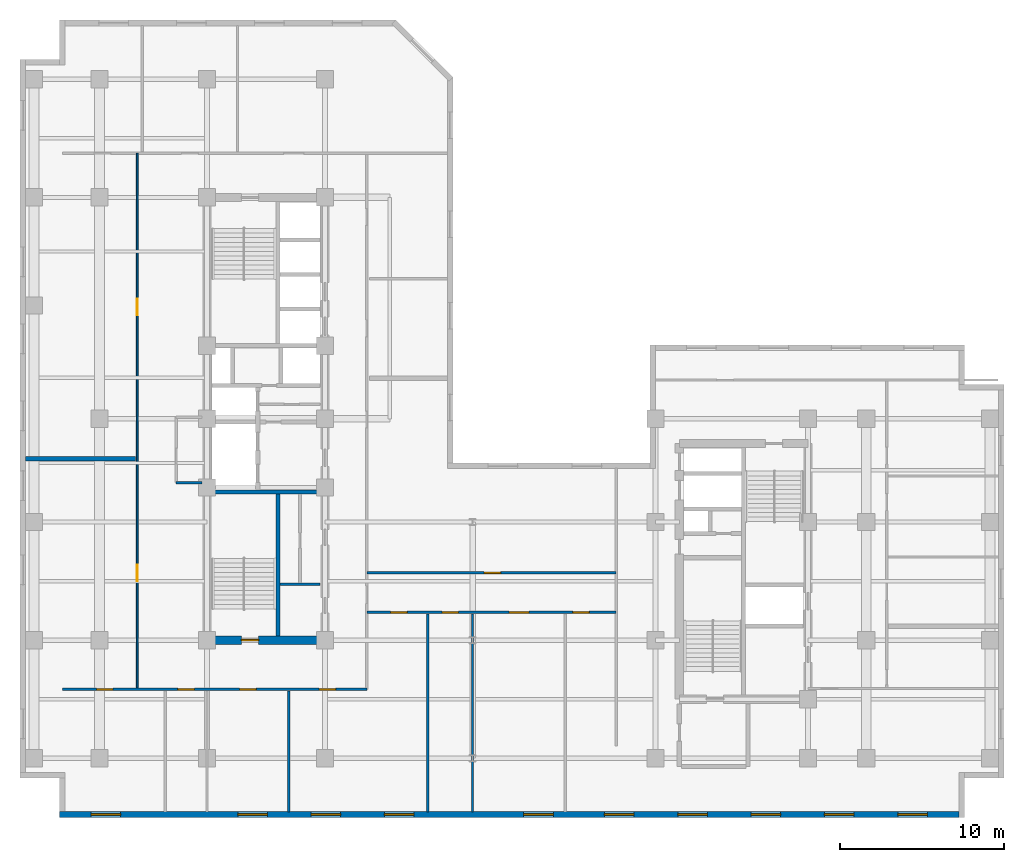
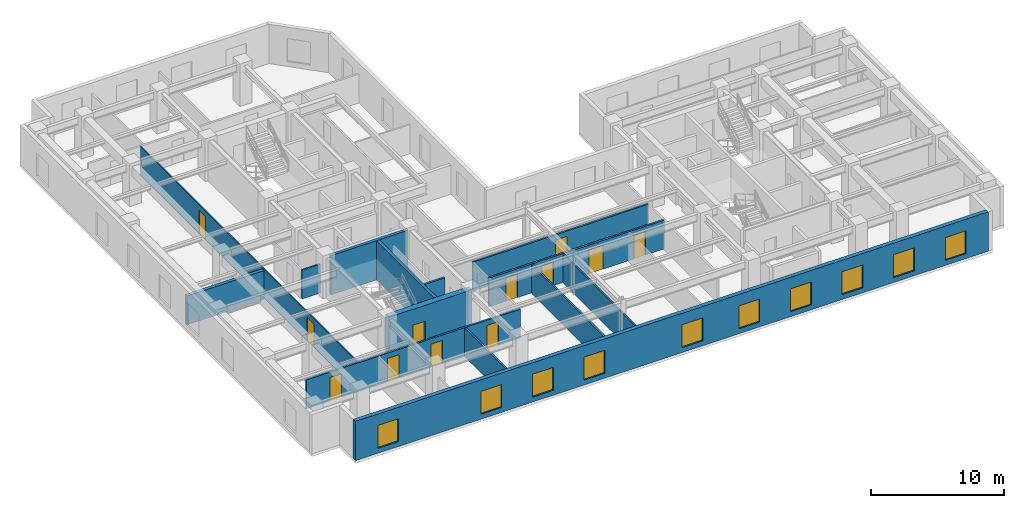
# One storey, part 3 of 10: 14 walls, 12 doors, 10 windows, 22 openings.
"""IFC4 building model written with IfcOpenShell, lengths in metres."""

from ifc_helpers import new_model, entity, si_unit, converted_unit, direction, frame, origin_with_axes, origin_2d_with_axis, place, context, subcontext, project, spatial, polyline, rectangle, outline, extrude, material, layer, layer_set, type_object, element, fill, save


model = new_model("IFC4")

# Units and contexts
model_context = context("Model", 3, precision=1e-05, world=origin_with_axes(), true_north=direction((0.0, 1.0)))
body_context = subcontext(model_context, "Body", "Model", "MODEL_VIEW")
ifc_project = project(units=[si_unit("LENGTHUNIT", "METRE"), si_unit("AREAUNIT", "SQUARE_METRE"), si_unit("VOLUMEUNIT", "CUBIC_METRE"), converted_unit("PLANEANGLEUNIT", "DEGREE", entity("IfcPlaneAngleMeasure", 0.017453292519943295), si_unit("PLANEANGLEUNIT", "RADIAN"), dimensions=[0, 0, 0, 0, 0, 0, 0]), si_unit("MASSUNIT", "GRAM", prefix="KILO"), si_unit("THERMODYNAMICTEMPERATUREUNIT", "KELVIN")], contexts=[model_context])

# Site, building, storey
site_placement = place(None, origin_with_axes())
site = spatial("IfcSite", under=ifc_project, at=site_placement, CompositionType="ELEMENT")
building_placement = place(site_placement, origin_with_axes())
building = spatial("IfcBuilding", under=site, at=building_placement, Name="Varnlund Millrace Tower", CompositionType="ELEMENT")
storey_placement = place(building_placement, frame((0.0, 0.0, 183.6), z_axis=(0.0, 0.0, 1.0), x_axis=(1.0, 0.0, 0.0)))
storey = spatial("IfcBuildingStorey", under=building, at=storey_placement, Name="L45", CompositionType="ELEMENT", Elevation=183.6)

# Wall, opening, door
ifc_material_1 = material(Name="Concrete C70/85", Category="concrete")
ifc_layer_1 = layer(ifc_material_1, 0.5, Name="Concrete C70/85")
ifc_layer_set_1 = layer_set([ifc_layer_1], Name="Concrete C70/85")
wall_type_1 = type_object("IfcWallType", Name="Type-CoreWall-Shear-500-C70", PredefinedType="SHEAR", material=ifc_layer_set_1)
wall_1_placement = place(storey_placement, frame((11.4, 10.8, 0.0), z_axis=(0.0, 0.0, 1.0), x_axis=(1.0, 0.0, 0.0)))
wall_1 = element("IfcWall", 1, at=wall_1_placement, inside=storey, type_object=wall_type_1, Name="Type-CoreWall-Shear-500-C70", PredefinedType="SHEAR", context=body_context, shape_type="SweptSolid", body=[
    extrude(outline(polyline([(0.0, -0.25), (7.2, -0.25), (7.2, 0.25), (0.0, 0.25), (0.0, -0.25)])), origin_with_axes(), (0.0, 0.0, 1.0), 3.6),
])
opening_1_placement = place(wall_1_placement, frame((2.625, 0.0, 0.0), z_axis=(0.0, 0.0, 1.0), x_axis=(1.0, 0.0, 0.0)))
opening_1 = element("IfcOpeningElement", 2, at=opening_1_placement, cuts=wall_1, Name="Opening L45:DR-STA1", PredefinedType="OPENING", context=body_context, shape_type="SweptSolid", body=[
    extrude(rectangle(XDim=1.05, YDim=0.52, at=origin_2d_with_axis()), origin_with_axes(), (0.0, 0.0, 1.0), 2.15),
])
ifc_material_2 = material(Name="Fire-rated hollow steel door", Category="steel")
door_type_1 = type_object("IfcDoorType", Name="Type-FireDoor-Stair-1050X2150", OperationType="NOTDEFINED", PredefinedType="DOOR", material=ifc_material_2)
door_1_placement = place(wall_1_placement, frame((2.625, 0.0, 0.0), z_axis=(0.0, 0.0, 1.0), x_axis=(1.0, 0.0, 0.0)))
door_1 = element("IfcDoor", 3, at=door_1_placement, inside=storey, type_object=door_type_1, Name="Type-FireDoor-Stair-1050X2150", OperationType="SINGLE_SWING_LEFT", OverallHeight=2.15, OverallWidth=1.05, PredefinedType="DOOR", context=body_context, shape_type="SweptSolid", body=[
    extrude(rectangle(XDim=1.05, YDim=0.09, at=origin_2d_with_axis()), origin_with_axes(), (0.0, 0.0, 1.0), 2.15),
])
fill(opening_1, door_1)

# Wall, openings, windows
ifc_material_3 = material(Name="Precast concrete C50/60", Category="concrete")
ifc_layer_2 = layer(ifc_material_3, 0.34, Name="Precast concrete C50/60")
ifc_layer_set_2 = layer_set([ifc_layer_2], Name="Precast concrete C50/60")
wall_type_2 = type_object("IfcWallType", Name="Type-ExtWall-Precast-Upper-340", PredefinedType="SOLIDWALL", material=ifc_layer_set_2)
wall_2_placement = place(storey_placement, frame((57.26, 0.17, 0.0), z_axis=(0.0, 0.0, 1.0), x_axis=(-1.0, 0.0, 0.0)))
wall_2 = element("IfcWall", 4, at=wall_2_placement, inside=storey, type_object=wall_type_2, Name="Type-ExtWall-Precast-Upper-340", PredefinedType="SOLIDWALL", context=body_context, shape_type="SweptSolid", body=[
    extrude(outline(polyline([(0.0, -0.17), (54.86, -0.17), (54.86, 0.17), (0.0, 0.17), (0.0, -0.17)])), origin_with_axes(), (0.0, 0.0, 1.0), 3.6),
])
opening_2_placement = place(wall_2_placement, frame((2.836, 0.0, 0.45), z_axis=(0.0, 0.0, 1.0), x_axis=(1.0, 0.0, 0.0)))
opening_2 = element("IfcOpeningElement", 5, at=opening_2_placement, cuts=wall_2, Name="Opening L45:WN-08", PredefinedType="OPENING", context=body_context, shape_type="SweptSolid", body=[
    extrude(rectangle(XDim=1.8, YDim=0.36, at=origin_2d_with_axis()), origin_with_axes(), (0.0, 0.0, 1.0), 2.1),
])
opening_3_placement = place(wall_2_placement, frame((7.307, 0.0, 0.45), z_axis=(0.0, 0.0, 1.0), x_axis=(1.0, 0.0, 0.0)))
opening_3 = element("IfcOpeningElement", 6, at=opening_3_placement, cuts=wall_2, Name="Opening L45:WN-09", PredefinedType="OPENING", context=body_context, shape_type="SweptSolid", body=[
    extrude(rectangle(XDim=1.8, YDim=0.36, at=origin_2d_with_axis()), origin_with_axes(), (0.0, 0.0, 1.0), 2.1),
])
opening_4_placement = place(wall_2_placement, frame((11.779, 0.0, 0.45), z_axis=(0.0, 0.0, 1.0), x_axis=(1.0, 0.0, 0.0)))
opening_4 = element("IfcOpeningElement", 7, at=opening_4_placement, cuts=wall_2, Name="Opening L45:WN-10", PredefinedType="OPENING", context=body_context, shape_type="SweptSolid", body=[
    extrude(rectangle(XDim=1.8, YDim=0.36, at=origin_2d_with_axis()), origin_with_axes(), (0.0, 0.0, 1.0), 2.1),
])
opening_5_placement = place(wall_2_placement, frame((16.251, 0.0, 0.45), z_axis=(0.0, 0.0, 1.0), x_axis=(1.0, 0.0, 0.0)))
opening_5 = element("IfcOpeningElement", 8, at=opening_5_placement, cuts=wall_2, Name="Opening L45:WN-11", PredefinedType="OPENING", context=body_context, shape_type="SweptSolid", body=[
    extrude(rectangle(XDim=1.8, YDim=0.36, at=origin_2d_with_axis()), origin_with_axes(), (0.0, 0.0, 1.0), 2.1),
])
opening_6_placement = place(wall_2_placement, frame((20.723, 0.0, 0.45), z_axis=(0.0, 0.0, 1.0), x_axis=(1.0, 0.0, 0.0)))
opening_6 = element("IfcOpeningElement", 9, at=opening_6_placement, cuts=wall_2, Name="Opening L45:WN-12", PredefinedType="OPENING", context=body_context, shape_type="SweptSolid", body=[
    extrude(rectangle(XDim=1.8, YDim=0.36, at=origin_2d_with_axis()), origin_with_axes(), (0.0, 0.0, 1.0), 2.1),
])
opening_7_placement = place(wall_2_placement, frame((25.644, 0.0, 0.45), z_axis=(0.0, 0.0, 1.0), x_axis=(1.0, 0.0, 0.0)))
opening_7 = element("IfcOpeningElement", 10, at=opening_7_placement, cuts=wall_2, Name="Opening L45:WN-13", PredefinedType="OPENING", context=body_context, shape_type="SweptSolid", body=[
    extrude(rectangle(XDim=1.8, YDim=0.36, at=origin_2d_with_axis()), origin_with_axes(), (0.0, 0.0, 1.0), 2.1),
])
opening_8_placement = place(wall_2_placement, frame((34.138, 0.0, 0.45), z_axis=(0.0, 0.0, 1.0), x_axis=(1.0, 0.0, 0.0)))
opening_8 = element("IfcOpeningElement", 11, at=opening_8_placement, cuts=wall_2, Name="Opening L45:WN-14", PredefinedType="OPENING", context=body_context, shape_type="SweptSolid", body=[
    extrude(rectangle(XDim=1.8, YDim=0.36, at=origin_2d_with_axis()), origin_with_axes(), (0.0, 0.0, 1.0), 2.1),
])
opening_9_placement = place(wall_2_placement, frame((38.609, 0.0, 0.45), z_axis=(0.0, 0.0, 1.0), x_axis=(1.0, 0.0, 0.0)))
opening_9 = element("IfcOpeningElement", 12, at=opening_9_placement, cuts=wall_2, Name="Opening L45:WN-15", PredefinedType="OPENING", context=body_context, shape_type="SweptSolid", body=[
    extrude(rectangle(XDim=1.8, YDim=0.36, at=origin_2d_with_axis()), origin_with_axes(), (0.0, 0.0, 1.0), 2.1),
])
opening_10_placement = place(wall_2_placement, frame((43.081, 0.0, 0.45), z_axis=(0.0, 0.0, 1.0), x_axis=(1.0, 0.0, 0.0)))
opening_10 = element("IfcOpeningElement", 13, at=opening_10_placement, cuts=wall_2, Name="Opening L45:WN-16", PredefinedType="OPENING", context=body_context, shape_type="SweptSolid", body=[
    extrude(rectangle(XDim=1.8, YDim=0.36, at=origin_2d_with_axis()), origin_with_axes(), (0.0, 0.0, 1.0), 2.1),
])
opening_11_placement = place(wall_2_placement, frame((52.024, 0.0, 0.45), z_axis=(0.0, 0.0, 1.0), x_axis=(1.0, 0.0, 0.0)))
opening_11 = element("IfcOpeningElement", 14, at=opening_11_placement, cuts=wall_2, Name="Opening L45:WN-17", PredefinedType="OPENING", context=body_context, shape_type="SweptSolid", body=[
    extrude(rectangle(XDim=1.8, YDim=0.36, at=origin_2d_with_axis()), origin_with_axes(), (0.0, 0.0, 1.0), 2.1),
])
ifc_material_4 = material(Name="Argon low-e triple glazing in thermally broken bronze frame", Category="glass")
window_type = type_object("IfcWindowType", Name="Type-Window-Punched-1800X2100", PartitioningType="SINGLE_PANEL", PredefinedType="WINDOW", material=ifc_material_4)
window_1_placement = place(wall_2_placement, frame((2.836, 0.0, 0.45), z_axis=(0.0, 0.0, 1.0), x_axis=(1.0, 0.0, 0.0)))
window_1 = element("IfcWindow", 15, at=window_1_placement, inside=storey, type_object=window_type, Name="Type-Window-Punched-1800X2100", OverallHeight=2.1, OverallWidth=1.8, PredefinedType="WINDOW", context=body_context, shape_type="SweptSolid", body=[
    extrude(rectangle(XDim=1.8, YDim=0.09, at=origin_2d_with_axis()), origin_with_axes(), (0.0, 0.0, 1.0), 2.1),
])
fill(opening_2, window_1)
window_2_placement = place(wall_2_placement, frame((7.307, 0.0, 0.45), z_axis=(0.0, 0.0, 1.0), x_axis=(1.0, 0.0, 0.0)))
window_2 = element("IfcWindow", 16, at=window_2_placement, inside=storey, type_object=window_type, Name="Type-Window-Punched-1800X2100", OverallHeight=2.1, OverallWidth=1.8, PredefinedType="WINDOW", context=body_context, shape_type="SweptSolid", body=[
    extrude(rectangle(XDim=1.8, YDim=0.09, at=origin_2d_with_axis()), origin_with_axes(), (0.0, 0.0, 1.0), 2.1),
])
fill(opening_3, window_2)
window_3_placement = place(wall_2_placement, frame((11.779, 0.0, 0.45), z_axis=(0.0, 0.0, 1.0), x_axis=(1.0, 0.0, 0.0)))
window_3 = element("IfcWindow", 17, at=window_3_placement, inside=storey, type_object=window_type, Name="Type-Window-Punched-1800X2100", OverallHeight=2.1, OverallWidth=1.8, PredefinedType="WINDOW", context=body_context, shape_type="SweptSolid", body=[
    extrude(rectangle(XDim=1.8, YDim=0.09, at=origin_2d_with_axis()), origin_with_axes(), (0.0, 0.0, 1.0), 2.1),
])
fill(opening_4, window_3)
window_4_placement = place(wall_2_placement, frame((16.251, 0.0, 0.45), z_axis=(0.0, 0.0, 1.0), x_axis=(1.0, 0.0, 0.0)))
window_4 = element("IfcWindow", 18, at=window_4_placement, inside=storey, type_object=window_type, Name="Type-Window-Punched-1800X2100", OverallHeight=2.1, OverallWidth=1.8, PredefinedType="WINDOW", context=body_context, shape_type="SweptSolid", body=[
    extrude(rectangle(XDim=1.8, YDim=0.09, at=origin_2d_with_axis()), origin_with_axes(), (0.0, 0.0, 1.0), 2.1),
])
fill(opening_5, window_4)
window_5_placement = place(wall_2_placement, frame((20.723, 0.0, 0.45), z_axis=(0.0, 0.0, 1.0), x_axis=(1.0, 0.0, 0.0)))
window_5 = element("IfcWindow", 19, at=window_5_placement, inside=storey, type_object=window_type, Name="Type-Window-Punched-1800X2100", OverallHeight=2.1, OverallWidth=1.8, PredefinedType="WINDOW", context=body_context, shape_type="SweptSolid", body=[
    extrude(rectangle(XDim=1.8, YDim=0.09, at=origin_2d_with_axis()), origin_with_axes(), (0.0, 0.0, 1.0), 2.1),
])
fill(opening_6, window_5)
window_6_placement = place(wall_2_placement, frame((25.644, 0.0, 0.45), z_axis=(0.0, 0.0, 1.0), x_axis=(1.0, 0.0, 0.0)))
window_6 = element("IfcWindow", 20, at=window_6_placement, inside=storey, type_object=window_type, Name="Type-Window-Punched-1800X2100", OverallHeight=2.1, OverallWidth=1.8, PredefinedType="WINDOW", context=body_context, shape_type="SweptSolid", body=[
    extrude(rectangle(XDim=1.8, YDim=0.09, at=origin_2d_with_axis()), origin_with_axes(), (0.0, 0.0, 1.0), 2.1),
])
fill(opening_7, window_6)
window_7_placement = place(wall_2_placement, frame((34.138, 0.0, 0.45), z_axis=(0.0, 0.0, 1.0), x_axis=(1.0, 0.0, 0.0)))
window_7 = element("IfcWindow", 21, at=window_7_placement, inside=storey, type_object=window_type, Name="Type-Window-Punched-1800X2100", OverallHeight=2.1, OverallWidth=1.8, PredefinedType="WINDOW", context=body_context, shape_type="SweptSolid", body=[
    extrude(rectangle(XDim=1.8, YDim=0.09, at=origin_2d_with_axis()), origin_with_axes(), (0.0, 0.0, 1.0), 2.1),
])
fill(opening_8, window_7)
window_8_placement = place(wall_2_placement, frame((38.609, 0.0, 0.45), z_axis=(0.0, 0.0, 1.0), x_axis=(1.0, 0.0, 0.0)))
window_8 = element("IfcWindow", 22, at=window_8_placement, inside=storey, type_object=window_type, Name="Type-Window-Punched-1800X2100", OverallHeight=2.1, OverallWidth=1.8, PredefinedType="WINDOW", context=body_context, shape_type="SweptSolid", body=[
    extrude(rectangle(XDim=1.8, YDim=0.09, at=origin_2d_with_axis()), origin_with_axes(), (0.0, 0.0, 1.0), 2.1),
])
fill(opening_9, window_8)
window_9_placement = place(wall_2_placement, frame((43.081, 0.0, 0.45), z_axis=(0.0, 0.0, 1.0), x_axis=(1.0, 0.0, 0.0)))
window_9 = element("IfcWindow", 23, at=window_9_placement, inside=storey, type_object=window_type, Name="Type-Window-Punched-1800X2100", OverallHeight=2.1, OverallWidth=1.8, PredefinedType="WINDOW", context=body_context, shape_type="SweptSolid", body=[
    extrude(rectangle(XDim=1.8, YDim=0.09, at=origin_2d_with_axis()), origin_with_axes(), (0.0, 0.0, 1.0), 2.1),
])
fill(opening_10, window_9)
window_10_placement = place(wall_2_placement, frame((52.024, 0.0, 0.45), z_axis=(0.0, 0.0, 1.0), x_axis=(1.0, 0.0, 0.0)))
window_10 = element("IfcWindow", 24, at=window_10_placement, inside=storey, type_object=window_type, Name="Type-Window-Punched-1800X2100", OverallHeight=2.1, OverallWidth=1.8, PredefinedType="WINDOW", context=body_context, shape_type="SweptSolid", body=[
    extrude(rectangle(XDim=1.8, YDim=0.09, at=origin_2d_with_axis()), origin_with_axes(), (0.0, 0.0, 1.0), 2.1),
])
fill(opening_11, window_10)

# Walls
ifc_material_5 = material(Name="Double-stud STC-60 conference acoustic partition", Category="gypsum")
ifc_layer_3 = layer(ifc_material_5, 0.28, Name="Double-stud STC-60 conference acoustic partition")
ifc_layer_set_3 = layer_set([ifc_layer_3], Name="Double-stud STC-60 conference acoustic partition")
wall_type_3 = type_object("IfcWallType", Name="Type-Partition-Acoustic-280", PredefinedType="PARTITIONING", material=ifc_layer_set_3)
wall_3_placement = place(storey_placement, frame((0.335, 21.854, 0.0), z_axis=(0.0, 0.0, 1.0), x_axis=(1.0, 0.0, 0.0)))
element("IfcWall", 25, at=wall_3_placement, inside=storey, type_object=wall_type_3, Name="Type-Partition-Acoustic-280", PredefinedType="PARTITIONING", context=body_context, shape_type="SweptSolid", body=[
    extrude(outline(polyline([(0.0, -0.14), (6.695, -0.14), (6.695, 0.14), (0.0, 0.14), (0.0, -0.14)])), origin_with_axes(), (0.0, 0.0, 1.0), 2.64),
])
ifc_material_6 = material(Name="Fire-rated gypsum board on cold-formed steel framing", Category="steel")
ifc_layer_4 = layer(ifc_material_6, 0.16, Name="Fire-rated gypsum board on cold-formed steel framing")
ifc_layer_set_4 = layer_set([ifc_layer_4], Name="Fire-rated gypsum board on cold-formed steel framing")
wall_type_4 = type_object("IfcWallType", Name="Type-Partition-Corridor-160", PredefinedType="PARTITIONING", material=ifc_layer_set_4)
wall_4_placement = place(storey_placement, frame((15.84, 14.2, 0.0), z_axis=(0.0, 0.0, 1.0), x_axis=(1.0, 0.0, 0.0)))
element("IfcWall", 26, at=wall_4_placement, inside=storey, type_object=wall_type_4, Name="Type-Partition-Corridor-160", PredefinedType="PARTITIONING", context=body_context, shape_type="SweptSolid", body=[
    extrude(outline(polyline([(0.0, -0.08), (2.46, -0.08), (2.46, 0.08), (0.0, 0.08), (0.0, -0.08)])), origin_with_axes(), (0.0, 0.0, 1.0), 2.64),
])

# Wall, openings, doors
wall_5_placement = place(storey_placement, frame((2.6, 7.8, 0.0), z_axis=(0.0, 0.0, 1.0), x_axis=(1.0, 0.0, 0.0)))
wall_5 = element("IfcWall", 27, at=wall_5_placement, inside=storey, type_object=wall_type_4, Name="Type-Partition-Corridor-160", PredefinedType="PARTITIONING", context=body_context, shape_type="SweptSolid", body=[
    extrude(outline(polyline([(0.0, -0.08), (18.55, -0.08), (18.55, 0.08), (0.0, 0.08), (0.0, -0.08)])), origin_with_axes(), (0.0, 0.0, 1.0), 2.64),
])
opening_12_placement = place(wall_5_placement, frame((2.569, 0.0, 0.0), z_axis=(0.0, 0.0, 1.0), x_axis=(1.0, 0.0, 0.0)))
opening_12 = element("IfcOpeningElement", 28, at=opening_12_placement, cuts=wall_5, Name="Opening L45:DR-WAS-01", PredefinedType="OPENING", context=body_context, shape_type="SweptSolid", body=[
    extrude(rectangle(XDim=1.0, YDim=0.18, at=origin_2d_with_axis()), origin_with_axes(), (0.0, 0.0, 1.0), 2.15),
])
opening_13_placement = place(wall_5_placement, frame((7.5335, 0.0, 0.0), z_axis=(0.0, 0.0, 1.0), x_axis=(1.0, 0.0, 0.0)))
opening_13 = element("IfcOpeningElement", 29, at=opening_13_placement, cuts=wall_5, Name="Opening L45:DR-WAS-02", PredefinedType="OPENING", context=body_context, shape_type="SweptSolid", body=[
    extrude(rectangle(XDim=1.0, YDim=0.18, at=origin_2d_with_axis()), origin_with_axes(), (0.0, 0.0, 1.0), 2.15),
])
opening_14_placement = place(wall_5_placement, frame((11.2925, 0.0, 0.0), z_axis=(0.0, 0.0, 1.0), x_axis=(1.0, 0.0, 0.0)))
opening_14 = element("IfcOpeningElement", 30, at=opening_14_placement, cuts=wall_5, Name="Opening L45:DR-WAS-03", PredefinedType="OPENING", context=body_context, shape_type="SweptSolid", body=[
    extrude(rectangle(XDim=1.0, YDim=0.18, at=origin_2d_with_axis()), origin_with_axes(), (0.0, 0.0, 1.0), 2.15),
])
opening_15_placement = place(wall_5_placement, frame((16.1425, 0.0, 0.0), z_axis=(0.0, 0.0, 1.0), x_axis=(1.0, 0.0, 0.0)))
opening_15 = element("IfcOpeningElement", 31, at=opening_15_placement, cuts=wall_5, Name="Opening L45:DR-WAS-04", PredefinedType="OPENING", context=body_context, shape_type="SweptSolid", body=[
    extrude(rectangle(XDim=1.0, YDim=0.18, at=origin_2d_with_axis()), origin_with_axes(), (0.0, 0.0, 1.0), 2.15),
])
ifc_material_7 = material(Name="Solid-core white oak and bronze frame door")
door_type_2 = type_object("IfcDoorType", Name="Type-IntDoor-Office-1000X2150", OperationType="NOTDEFINED", PredefinedType="DOOR", material=ifc_material_7)
door_2_placement = place(wall_5_placement, frame((2.569, 0.0, 0.0), z_axis=(0.0, 0.0, 1.0), x_axis=(1.0, 0.0, 0.0)))
door_2 = element("IfcDoor", 32, at=door_2_placement, inside=storey, type_object=door_type_2, Name="Type-IntDoor-Office-1000X2150", OperationType="SINGLE_SWING_LEFT", OverallHeight=2.15, OverallWidth=1.0, PredefinedType="DOOR", context=body_context, shape_type="SweptSolid", body=[
    extrude(rectangle(XDim=1.0, YDim=0.09, at=origin_2d_with_axis()), origin_with_axes(), (0.0, 0.0, 1.0), 2.15),
])
fill(opening_12, door_2)
door_3_placement = place(wall_5_placement, frame((7.5335, 0.0, 0.0), z_axis=(0.0, 0.0, 1.0), x_axis=(1.0, 0.0, 0.0)))
door_3 = element("IfcDoor", 33, at=door_3_placement, inside=storey, type_object=door_type_2, Name="Type-IntDoor-Office-1000X2150", OperationType="SINGLE_SWING_RIGHT", OverallHeight=2.15, OverallWidth=1.0, PredefinedType="DOOR", context=body_context, shape_type="SweptSolid", body=[
    extrude(rectangle(XDim=1.0, YDim=0.09, at=origin_2d_with_axis()), origin_with_axes(), (0.0, 0.0, 1.0), 2.15),
])
fill(opening_13, door_3)
door_4_placement = place(wall_5_placement, frame((11.2925, 0.0, 0.0), z_axis=(0.0, 0.0, 1.0), x_axis=(1.0, 0.0, 0.0)))
door_4 = element("IfcDoor", 34, at=door_4_placement, inside=storey, type_object=door_type_2, Name="Type-IntDoor-Office-1000X2150", OperationType="SINGLE_SWING_LEFT", OverallHeight=2.15, OverallWidth=1.0, PredefinedType="DOOR", context=body_context, shape_type="SweptSolid", body=[
    extrude(rectangle(XDim=1.0, YDim=0.09, at=origin_2d_with_axis()), origin_with_axes(), (0.0, 0.0, 1.0), 2.15),
])
fill(opening_14, door_4)
door_5_placement = place(wall_5_placement, frame((16.1425, 0.0, 0.0), z_axis=(0.0, 0.0, 1.0), x_axis=(1.0, 0.0, 0.0)))
door_5 = element("IfcDoor", 35, at=door_5_placement, inside=storey, type_object=door_type_2, Name="Type-IntDoor-Office-1000X2150", OperationType="SINGLE_SWING_RIGHT", OverallHeight=2.15, OverallWidth=1.0, PredefinedType="DOOR", context=body_context, shape_type="SweptSolid", body=[
    extrude(rectangle(XDim=1.0, YDim=0.09, at=origin_2d_with_axis()), origin_with_axes(), (0.0, 0.0, 1.0), 2.15),
])
fill(opening_15, door_5)

wall_6_placement = place(storey_placement, frame((21.15, 12.5, 0.0), z_axis=(0.0, 0.0, 1.0), x_axis=(1.0, 0.0, 0.0)))
wall_6 = element("IfcWall", 36, at=wall_6_placement, inside=storey, type_object=wall_type_4, Name="Type-Partition-Corridor-160", PredefinedType="PARTITIONING", context=body_context, shape_type="SweptSolid", body=[
    extrude(outline(polyline([(0.0, -0.08), (15.2, -0.08), (15.2, 0.08), (0.0, 0.08), (0.0, -0.08)])), origin_with_axes(), (0.0, 0.0, 1.0), 2.64),
])
opening_16_placement = place(wall_6_placement, frame((1.951, 0.0, 0.0), z_axis=(0.0, 0.0, 1.0), x_axis=(1.0, 0.0, 0.0)))
opening_16 = element("IfcOpeningElement", 37, at=opening_16_placement, cuts=wall_6, Name="Opening L45:DR-KNS-01", PredefinedType="OPENING", context=body_context, shape_type="SweptSolid", body=[
    extrude(rectangle(XDim=1.0, YDim=0.18, at=origin_2d_with_axis()), origin_with_axes(), (0.0, 0.0, 1.0), 2.15),
])
opening_17_placement = place(wall_6_placement, frame((5.086, 0.0, 0.0), z_axis=(0.0, 0.0, 1.0), x_axis=(1.0, 0.0, 0.0)))
opening_17 = element("IfcOpeningElement", 38, at=opening_17_placement, cuts=wall_6, Name="Opening L45:DR-KNS-02", PredefinedType="OPENING", context=body_context, shape_type="SweptSolid", body=[
    extrude(rectangle(XDim=1.0, YDim=0.18, at=origin_2d_with_axis()), origin_with_axes(), (0.0, 0.0, 1.0), 2.15),
])
opening_18_placement = place(wall_6_placement, frame((9.2795, 0.0, 0.0), z_axis=(0.0, 0.0, 1.0), x_axis=(1.0, 0.0, 0.0)))
opening_18 = element("IfcOpeningElement", 39, at=opening_18_placement, cuts=wall_6, Name="Opening L45:DR-KNS-03", PredefinedType="OPENING", context=body_context, shape_type="SweptSolid", body=[
    extrude(rectangle(XDim=1.2, YDim=0.18, at=origin_2d_with_axis()), origin_with_axes(), (0.0, 0.0, 1.0), 2.2),
])
opening_19_placement = place(wall_6_placement, frame((13.055, 0.0, 0.0), z_axis=(0.0, 0.0, 1.0), x_axis=(1.0, 0.0, 0.0)))
opening_19 = element("IfcOpeningElement", 40, at=opening_19_placement, cuts=wall_6, Name="Opening L45:DR-KNS-04", PredefinedType="OPENING", context=body_context, shape_type="SweptSolid", body=[
    extrude(rectangle(XDim=1.0, YDim=0.18, at=origin_2d_with_axis()), origin_with_axes(), (0.0, 0.0, 1.0), 2.15),
])
ifc_material_8 = material(Name="Wide executive white oak acoustic door")
door_type_3 = type_object("IfcDoorType", Name="Type-IntDoor-Exec-1200X2200", OperationType="NOTDEFINED", PredefinedType="DOOR", material=ifc_material_8)
door_6_placement = place(wall_6_placement, frame((9.2795, 0.0, 0.0), z_axis=(0.0, 0.0, 1.0), x_axis=(1.0, 0.0, 0.0)))
door_6 = element("IfcDoor", 41, at=door_6_placement, inside=storey, type_object=door_type_3, Name="Type-IntDoor-Exec-1200X2200", OperationType="SINGLE_SWING_LEFT", OverallHeight=2.2, OverallWidth=1.2, PredefinedType="DOOR", context=body_context, shape_type="SweptSolid", body=[
    extrude(rectangle(XDim=1.2, YDim=0.09, at=origin_2d_with_axis()), origin_with_axes(), (0.0, 0.0, 1.0), 2.2),
])
fill(opening_18, door_6)
door_7_placement = place(wall_6_placement, frame((1.951, 0.0, 0.0), z_axis=(0.0, 0.0, 1.0), x_axis=(1.0, 0.0, 0.0)))
door_7 = element("IfcDoor", 42, at=door_7_placement, inside=storey, type_object=door_type_2, Name="Type-IntDoor-Office-1000X2150", OperationType="SINGLE_SWING_LEFT", OverallHeight=2.15, OverallWidth=1.0, PredefinedType="DOOR", context=body_context, shape_type="SweptSolid", body=[
    extrude(rectangle(XDim=1.0, YDim=0.09, at=origin_2d_with_axis()), origin_with_axes(), (0.0, 0.0, 1.0), 2.15),
])
fill(opening_16, door_7)
door_8_placement = place(wall_6_placement, frame((5.086, 0.0, 0.0), z_axis=(0.0, 0.0, 1.0), x_axis=(1.0, 0.0, 0.0)))
door_8 = element("IfcDoor", 43, at=door_8_placement, inside=storey, type_object=door_type_2, Name="Type-IntDoor-Office-1000X2150", OperationType="SINGLE_SWING_RIGHT", OverallHeight=2.15, OverallWidth=1.0, PredefinedType="DOOR", context=body_context, shape_type="SweptSolid", body=[
    extrude(rectangle(XDim=1.0, YDim=0.09, at=origin_2d_with_axis()), origin_with_axes(), (0.0, 0.0, 1.0), 2.15),
])
fill(opening_17, door_8)
door_9_placement = place(wall_6_placement, frame((13.055, 0.0, 0.0), z_axis=(0.0, 0.0, 1.0), x_axis=(1.0, 0.0, 0.0)))
door_9 = element("IfcDoor", 44, at=door_9_placement, inside=storey, type_object=door_type_2, Name="Type-IntDoor-Office-1000X2150", OperationType="SINGLE_SWING_RIGHT", OverallHeight=2.15, OverallWidth=1.0, PredefinedType="DOOR", context=body_context, shape_type="SweptSolid", body=[
    extrude(rectangle(XDim=1.0, YDim=0.09, at=origin_2d_with_axis()), origin_with_axes(), (0.0, 0.0, 1.0), 2.15),
])
fill(opening_19, door_9)

# Wall, opening, door
wall_7_placement = place(storey_placement, frame((21.15, 14.9, 0.0), z_axis=(0.0, 0.0, 1.0), x_axis=(1.0, 0.0, 0.0)))
wall_7 = element("IfcWall", 45, at=wall_7_placement, inside=storey, type_object=wall_type_4, Name="Type-Partition-Corridor-160", PredefinedType="PARTITIONING", context=body_context, shape_type="SweptSolid", body=[
    extrude(outline(polyline([(0.0, -0.08), (15.2, -0.08), (15.2, 0.08), (0.0, 0.08), (0.0, -0.08)])), origin_with_axes(), (0.0, 0.0, 1.0), 2.64),
])
opening_20_placement = place(wall_7_placement, frame((7.65, 0.0, 0.0), z_axis=(0.0, 0.0, 1.0), x_axis=(1.0, 0.0, 0.0)))
opening_20 = element("IfcOpeningElement", 46, at=opening_20_placement, cuts=wall_7, Name="Opening L45:DR-KN-01", PredefinedType="OPENING", context=body_context, shape_type="SweptSolid", body=[
    extrude(rectangle(XDim=1.0, YDim=0.18, at=origin_2d_with_axis()), origin_with_axes(), (0.0, 0.0, 1.0), 2.15),
])
door_10_placement = place(wall_7_placement, frame((7.65, 0.0, 0.0), z_axis=(0.0, 0.0, 1.0), x_axis=(1.0, 0.0, 0.0)))
door_10 = element("IfcDoor", 47, at=door_10_placement, inside=storey, type_object=door_type_2, Name="Type-IntDoor-Office-1000X2150", OperationType="SINGLE_SWING_LEFT", OverallHeight=2.15, OverallWidth=1.0, PredefinedType="DOOR", context=body_context, shape_type="SweptSolid", body=[
    extrude(rectangle(XDim=1.0, YDim=0.09, at=origin_2d_with_axis()), origin_with_axes(), (0.0, 0.0, 1.0), 2.15),
])
fill(opening_20, door_10)

# Walls
ifc_material_9 = material(Name="Acoustic STC-50 gypsum board partition", Category="gypsum")
ifc_layer_5 = layer(ifc_material_9, 0.15, Name="Acoustic STC-50 gypsum board partition")
ifc_layer_set_5 = layer_set([ifc_layer_5], Name="Acoustic STC-50 gypsum board partition")
wall_type_5 = type_object("IfcWallType", Name="Type-Partition-Demising-150", PredefinedType="PARTITIONING", material=ifc_layer_set_5)
wall_8_placement = place(storey_placement, frame((16.385, 0.335, 0.0), z_axis=(0.0, 0.0, 1.0), x_axis=(0.0, 1.0, 0.0)))
element("IfcWall", 48, at=wall_8_placement, inside=storey, type_object=wall_type_5, Name="Type-Partition-Demising-150", PredefinedType="PARTITIONING", context=body_context, shape_type="SweptSolid", body=[
    extrude(outline(polyline([(0.0, -0.075), (7.365, -0.075), (7.365, 0.075), (0.0, 0.075), (0.0, -0.075)])), origin_with_axes(), (0.0, 0.0, 1.0), 2.64),
])
wall_9_placement = place(storey_placement, frame((24.872, 0.335, 0.0), z_axis=(0.0, 0.0, 1.0), x_axis=(0.0, 1.0, 0.0)))
element("IfcWall", 49, at=wall_9_placement, inside=storey, type_object=wall_type_5, Name="Type-Partition-Demising-150", PredefinedType="PARTITIONING", context=body_context, shape_type="SweptSolid", body=[
    extrude(outline(polyline([(0.0, -0.075), (12.045, -0.075), (12.045, 0.075), (0.0, 0.075), (0.0, -0.075)])), origin_with_axes(), (0.0, 0.0, 1.0), 2.64),
])

# Wall, openings, doors
ifc_material_10 = material(Name="Architectural bronze and acoustic glass office front", Category="glass")
ifc_layer_6 = layer(ifc_material_10, 0.1, Name="Architectural bronze and acoustic glass office front")
ifc_layer_set_6 = layer_set([ifc_layer_6], Name="Architectural bronze and acoustic glass office front")
wall_type_6 = type_object("IfcWallType", Name="Type-Partition-Glazed-100", PredefinedType="PARTITIONING", material=ifc_layer_set_6)
wall_10_placement = place(storey_placement, frame((7.15, 7.8, 0.0), z_axis=(0.0, 0.0, 1.0), x_axis=(0.0, 1.0, 0.0)))
wall_10 = element("IfcWall", 50, at=wall_10_placement, inside=storey, type_object=wall_type_6, Name="Type-Partition-Glazed-100", PredefinedType="PARTITIONING", context=body_context, shape_type="SweptSolid", body=[
    extrude(outline(polyline([(0.0, -0.05), (32.7, -0.05), (32.7, 0.05), (0.0, 0.05), (0.0, -0.05)])), origin_with_axes(), (0.0, 0.0, 1.0), 2.64),
])
opening_21_placement = place(wall_10_placement, frame((7.092, 0.0, 0.0), z_axis=(0.0, 0.0, 1.0), x_axis=(1.0, 0.0, 0.0)))
opening_21 = element("IfcOpeningElement", 51, at=opening_21_placement, cuts=wall_10, Name="Opening L45:DR-W-01", PredefinedType="OPENING", context=body_context, shape_type="SweptSolid", body=[
    extrude(rectangle(XDim=1.0, YDim=0.12, at=origin_2d_with_axis()), origin_with_axes(), (0.0, 0.0, 1.0), 2.15),
])
opening_22_placement = place(wall_10_placement, frame((23.312, 0.0, 0.0), z_axis=(0.0, 0.0, 1.0), x_axis=(1.0, 0.0, 0.0)))
opening_22 = element("IfcOpeningElement", 52, at=opening_22_placement, cuts=wall_10, Name="Opening L45:DR-W-02", PredefinedType="OPENING", context=body_context, shape_type="SweptSolid", body=[
    extrude(rectangle(XDim=1.0, YDim=0.12, at=origin_2d_with_axis()), origin_with_axes(), (0.0, 0.0, 1.0), 2.15),
])
door_11_placement = place(wall_10_placement, frame((7.092, 0.0, 0.0), z_axis=(0.0, 0.0, 1.0), x_axis=(1.0, 0.0, 0.0)))
door_11 = element("IfcDoor", 53, at=door_11_placement, inside=storey, type_object=door_type_2, Name="Type-IntDoor-Office-1000X2150", OperationType="SINGLE_SWING_LEFT", OverallHeight=2.15, OverallWidth=1.0, PredefinedType="DOOR", context=body_context, shape_type="SweptSolid", body=[
    extrude(rectangle(XDim=1.0, YDim=0.06, at=origin_2d_with_axis()), origin_with_axes(), (0.0, 0.0, 1.0), 2.15),
])
fill(opening_21, door_11)
door_12_placement = place(wall_10_placement, frame((23.312, 0.0, 0.0), z_axis=(0.0, 0.0, 1.0), x_axis=(1.0, 0.0, 0.0)))
door_12 = element("IfcDoor", 54, at=door_12_placement, inside=storey, type_object=door_type_2, Name="Type-IntDoor-Office-1000X2150", OperationType="SINGLE_SWING_RIGHT", OverallHeight=2.15, OverallWidth=1.0, PredefinedType="DOOR", context=body_context, shape_type="SweptSolid", body=[
    extrude(rectangle(XDim=1.0, YDim=0.06, at=origin_2d_with_axis()), origin_with_axes(), (0.0, 0.0, 1.0), 2.15),
])
fill(opening_22, door_12)

# Walls
ifc_material_11 = material(Name="Gypsum board tenant partition", Category="gypsum")
ifc_layer_7 = layer(ifc_material_11, 0.125, Name="Gypsum board tenant partition")
ifc_layer_set_7 = layer_set([ifc_layer_7], Name="Gypsum board tenant partition")
wall_type_7 = type_object("IfcWallType", Name="Type-Partition-Tenant-125", PredefinedType="PARTITIONING", material=ifc_layer_set_7)
wall_11_placement = place(storey_placement, frame((27.6, 0.335, 0.0), z_axis=(0.0, 0.0, 1.0), x_axis=(0.0, 1.0, 0.0)))
element("IfcWall", 55, at=wall_11_placement, inside=storey, type_object=wall_type_7, Name="Type-Partition-Tenant-125", PredefinedType="PARTITIONING", context=body_context, shape_type="SweptSolid", body=[
    extrude(outline(polyline([(0.0, -0.0625), (12.045, -0.0625), (12.045, 0.0625), (0.0, 0.0625), (0.0, -0.0625)])), origin_with_axes(), (0.0, 0.0, 1.0), 2.64),
])
ifc_material_12 = material(Name="Moisture-resistant gypsum restroom partition", Category="gypsum")
ifc_layer_8 = layer(ifc_material_12, 0.14, Name="Moisture-resistant gypsum restroom partition")
ifc_layer_set_8 = layer_set([ifc_layer_8], Name="Moisture-resistant gypsum restroom partition")
wall_type_8 = type_object("IfcWallType", Name="Type-Partition-Wet-140", PredefinedType="PARTITIONING", material=ifc_layer_set_8)
wall_12_placement = place(storey_placement, frame((9.52, 20.4, 0.0), z_axis=(0.0, 0.0, 1.0), x_axis=(1.0, 0.0, 0.0)))
element("IfcWall", 56, at=wall_12_placement, inside=storey, type_object=wall_type_8, Name="Type-Partition-Wet-140", PredefinedType="PARTITIONING", context=body_context, shape_type="SweptSolid", body=[
    extrude(outline(polyline([(0.0, -0.07), (1.58, -0.07), (1.58, 0.07), (0.0, 0.07), (0.0, -0.07)])), origin_with_axes(), (0.0, 0.0, 1.0), 2.64),
])
ifc_material_13 = material(Name="Concrete C60/75", Category="concrete")
ifc_layer_9 = layer(ifc_material_13, 0.25, Name="Concrete C60/75")
ifc_layer_set_9 = layer_set([ifc_layer_9], Name="Concrete C60/75")
wall_type_9 = type_object("IfcWallType", Name="Type-StairWall-Shear-250", PredefinedType="SHEAR", material=ifc_layer_set_9)
wall_13_placement = place(storey_placement, frame((15.725, 11.05, 0.0), z_axis=(0.0, 0.0, 1.0), x_axis=(0.0, 1.0, 0.0)))
element("IfcWall", 57, at=wall_13_placement, inside=storey, type_object=wall_type_9, Name="Type-StairWall-Shear-250", PredefinedType="SHEAR", context=body_context, shape_type="SweptSolid", body=[
    extrude(outline(polyline([(0.0, -0.125), (8.65, -0.125), (8.65, 0.125), (0.0, 0.125), (0.0, -0.125)])), origin_with_axes(), (0.0, 0.0, 1.0), 3.6),
])
wall_14_placement = place(storey_placement, frame((11.65, 19.825, 0.0), z_axis=(0.0, 0.0, 1.0), x_axis=(1.0, 0.0, 0.0)))
element("IfcWall", 58, at=wall_14_placement, inside=storey, type_object=wall_type_9, Name="Type-StairWall-Shear-250", PredefinedType="SHEAR", context=body_context, shape_type="SweptSolid", body=[
    extrude(outline(polyline([(0.0, -0.125), (6.7, -0.125), (6.7, 0.125), (0.0, 0.125), (0.0, -0.125)])), origin_with_axes(), (0.0, 0.0, 1.0), 3.6),
])

save(model, "model.ifc")
